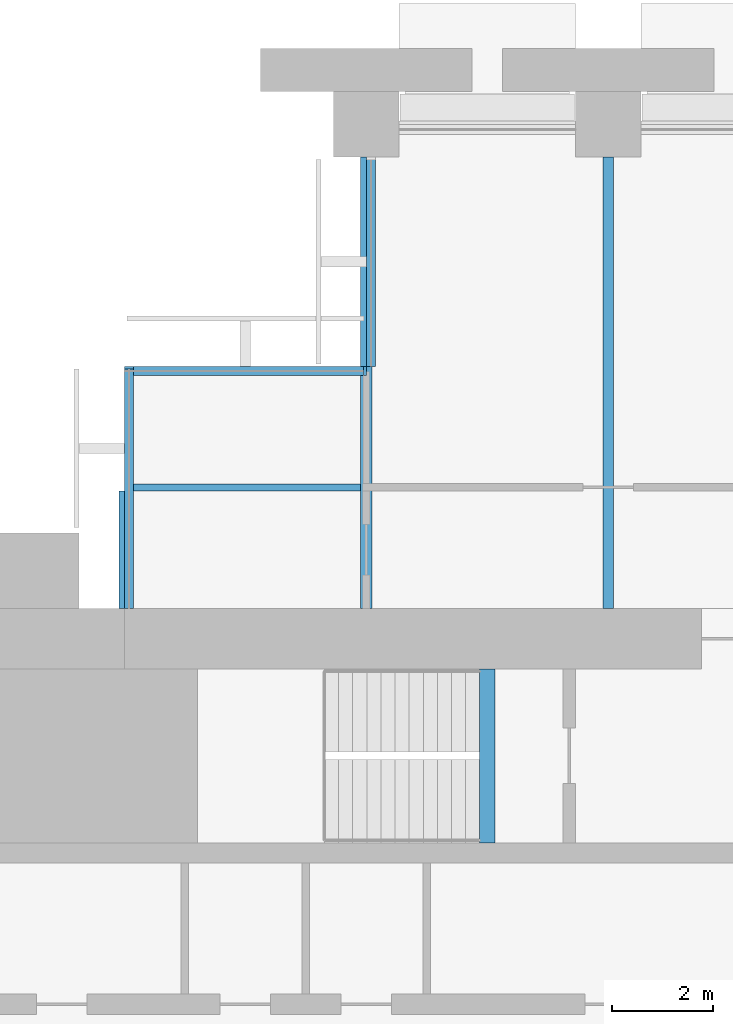
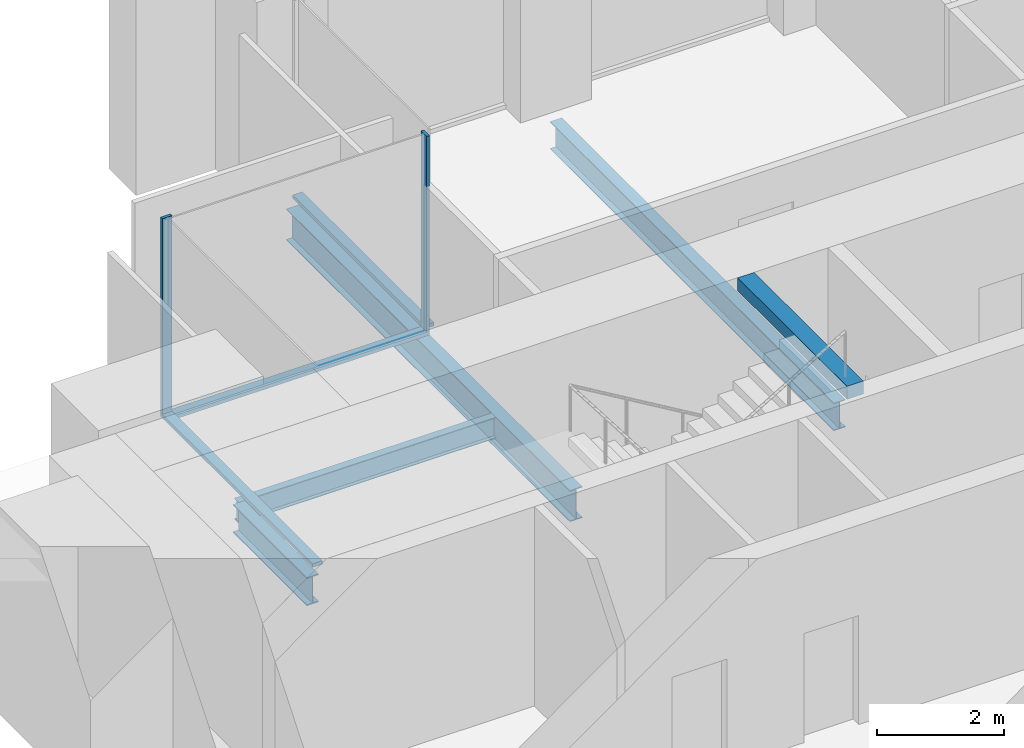
# One storey, part 5 of 15: 5 beams, 5 members, 3 elements without a shape of their own.
"""IFC4 building model written with IfcOpenShell, lengths in metres."""

from ifc_helpers import new_model, si_unit, direction, frame, origin, origin_2d, place, context, subcontext, project, spatial, rectangle, i_section, extrude, material, material_profile, profile_set, type_object, element, aggregate, save


model = new_model("IFC4")

# Units and contexts
model_context = context("Model", 3, precision=1e-05, world=origin(), true_north=direction((0.0, 1.0)))
body_context = subcontext(model_context, "Body", "Model", "MODEL_VIEW")
ifc_project = project(units=[si_unit("LENGTHUNIT", "METRE"), si_unit("AREAUNIT", "SQUARE_METRE"), si_unit("VOLUMEUNIT", "CUBIC_METRE"), si_unit("PLANEANGLEUNIT", "RADIAN"), si_unit("MASSUNIT", "GRAM", prefix="KILO")], contexts=[model_context])

# Site, building, storey
site_placement = place(None, origin())
site = spatial("IfcSite", under=ifc_project, at=site_placement, CompositionType="ELEMENT")
building_placement = place(site_placement, origin())
building = spatial("IfcBuilding", under=site, at=building_placement, Name="Baori Bourse Tower", CompositionType="ELEMENT")
storey_placement = place(building_placement, frame((0.0, 0.0, 59.0)))
storey = spatial("IfcBuildingStorey", under=building, at=storey_placement, Name="L12", CompositionType="ELEMENT", Elevation=59.0)

# Curtain wall, member
ifc_material_1 = material(Name="Pale anodised aluminium", Category="aluminium")
curtain_wall_type = type_object("IfcCurtainWallType", Name="CW2 Curtain wall", PredefinedType="NOTDEFINED", material=ifc_material_1)
curtain_wall_1_placement = place(storey_placement, origin())
curtain_wall_1 = element("IfcCurtainWall", 1, at=curtain_wall_1_placement, inside=storey, type_object=curtain_wall_type, Name="Curtain wall CW2 L12 8", PredefinedType="NOTDEFINED")
ifc_material_2 = material(Name="Pale anodised aluminium", Category="aluminium")
ifc_material_profile_1 = material_profile(ifc_material_2, rectangle(XDim=0.179931640625, YDim=0.054931640625, at=origin_2d()), Name="Mullion 55x180")
ifc_profile_set_1 = profile_set([ifc_material_profile_1], Name="Pale anodised aluminium")
member_type_1 = type_object("IfcMemberType", Name="CW2 Curtain wall mullion", PredefinedType="MULLION", material=ifc_profile_set_1)
member_1_placement = place(storey_placement, frame((9.572509765625, 43.110107421875, 0.070068359375), z_axis=(0.0, 0.0, 1.0), x_axis=(0.0, -1.0, 0.0)))
member_1 = element("IfcMember", 2, at=member_1_placement, type_object=member_type_1, Name="Curtain wall CW2 mullion", PredefinedType="MULLION", context=body_context, shape_type="SweptSolid", body=[
    extrude(rectangle(XDim=0.179931640625, YDim=0.054931640625, at=origin_2d()), origin(), (0.0, 0.0, 1.0), 3.77001953125),
])

curtain_wall_2_placement = place(storey_placement, origin())
curtain_wall_2 = element("IfcCurtainWall", 3, at=curtain_wall_2_placement, inside=storey, type_object=curtain_wall_type, Name="Curtain wall CW2 L12 9", PredefinedType="NOTDEFINED")
member_2_placement = place(storey_placement, frame((4.889892578125, 43.172607421875, 0.070068359375), z_axis=(0.0, 0.0, 1.0), x_axis=(1.0, 0.0, 0.0)))
member_2 = element("IfcMember", 4, at=member_2_placement, type_object=member_type_1, Name="Curtain wall CW2 mullion", PredefinedType="MULLION", context=body_context, shape_type="SweptSolid", body=[
    extrude(rectangle(XDim=0.179931640625, YDim=0.054931640625, at=origin_2d()), origin(), (0.0, 0.0, 1.0), 3.77001953125),
])

curtain_wall_3_placement = place(storey_placement, origin())
curtain_wall_3 = element("IfcCurtainWall", 5, at=curtain_wall_3_placement, inside=storey, type_object=curtain_wall_type, Name="Curtain wall CW2 L12 7", PredefinedType="NOTDEFINED")
ifc_material_3 = material(Name="Pale anodised aluminium", Category="aluminium")
ifc_material_profile_2 = material_profile(ifc_material_3, rectangle(XDim=0.179931640625, YDim=0.070068359375, at=origin_2d()), Name="Transom 70x180")
ifc_profile_set_2 = profile_set([ifc_material_profile_2], Name="Pale anodised aluminium")
member_type_2 = type_object("IfcMemberType", Name="CW2 Curtain wall transom", PredefinedType="USERDEFINED", material=ifc_profile_set_2)
member_3_placement = place(storey_placement, frame((9.68994140625, 47.35009765625, 0.034912109375), z_axis=(0.0, -1.0, 0.0), x_axis=(1.0, 0.0, 0.0)))
member_3 = element("IfcMember", 6, at=member_3_placement, type_object=member_type_2, Name="Curtain wall CW2 sill rail", ObjectType="TRANSOM", PredefinedType="USERDEFINED", context=body_context, shape_type="SweptSolid", body=[
    extrude(rectangle(XDim=0.179931640625, YDim=0.070068359375, at=origin_2d()), origin(), (0.0, 0.0, 1.0), 4.150146484375),
])
aggregate(curtain_wall_3, [member_3])

# Member
member_4_placement = place(storey_placement, frame((9.60009765625, 43.110107421875, 0.034912109375), z_axis=(-1.0, 0.0, 0.0), x_axis=(0.0, -1.0, 0.0)))
member_4 = element("IfcMember", 7, at=member_4_placement, type_object=member_type_2, Name="Curtain wall CW2 sill rail", ObjectType="TRANSOM", PredefinedType="USERDEFINED", context=body_context, shape_type="SweptSolid", body=[
    extrude(rectangle(XDim=0.179931640625, YDim=0.070068359375, at=origin_2d()), origin(), (0.0, 0.0, 1.0), 4.800048828125),
])

aggregate(curtain_wall_1, [member_4, member_1])

member_5_placement = place(storey_placement, frame((4.889892578125, 43.199951171875, 0.034912109375), z_axis=(0.0, -1.0, 0.0), x_axis=(1.0, 0.0, 0.0)))
member_5 = element("IfcMember", 8, at=member_5_placement, type_object=member_type_2, Name="Curtain wall CW2 sill rail", ObjectType="TRANSOM", PredefinedType="USERDEFINED", context=body_context, shape_type="SweptSolid", body=[
    extrude(rectangle(XDim=0.179931640625, YDim=0.070068359375, at=origin_2d()), origin(), (0.0, 0.0, 1.0), 4.800048828125),
])

aggregate(curtain_wall_2, [member_5, member_2])

# Beams
ifc_material_4 = material(Name="Steel A992 Gr 50", Category="steel")
ifc_material_profile_3 = material_profile(ifc_material_4, i_section(OverallWidth=0.21240234375, OverallDepth=0.54345703125, WebThickness=0.01318359375, FlangeThickness=0.021240234375, at=origin_2d()), Name="W21x83")
ifc_profile_set_3 = profile_set([ifc_material_profile_3], Name="Steel A992 Gr 50")
beam_type_1 = type_object("IfcBeamType", Name="Core bracket W21x83", PredefinedType="BEAM", material=ifc_profile_set_3)
beam_1_placement = place(storey_placement, frame((4.800048828125, 38.39990234375, -0.431884765625), z_axis=(0.0, 1.0, 0.0), x_axis=(-1.0, 0.0, 0.0)))
element("IfcBeam", 9, at=beam_1_placement, inside=storey, type_object=beam_type_1, Name="Core bracket L12", PredefinedType="BEAM", context=body_context, shape_type="SweptSolid", body=[
    extrude(i_section(OverallWidth=0.21240234375, OverallDepth=0.54345703125, WebThickness=0.01318359375, FlangeThickness=0.021240234375, at=origin_2d()), origin(), (0.0, 0.0, 1.0), 2.329833984375),
])
ifc_material_5 = material(Name="Steel A992 Gr 50", Category="steel")
ifc_material_profile_4 = material_profile(ifc_material_5, i_section(OverallWidth=0.209228515625, OverallDepth=0.533447265625, WebThickness=0.01025390625, FlangeThickness=0.015625, at=origin_2d()), Name="W21x62")
ifc_profile_set_4 = profile_set([ifc_material_profile_4], Name="Steel A992 Gr 50")
beam_type_2 = type_object("IfcBeamType", Name="Floor beam W21x62", PredefinedType="BEAM", material=ifc_profile_set_4)
beam_2_placement = place(storey_placement, frame((14.39990234375, 38.39990234375, -0.4267578125), z_axis=(0.0, 1.0, 0.0), x_axis=(-1.0, 0.0, 0.0)))
element("IfcBeam", 10, at=beam_2_placement, inside=storey, type_object=beam_type_2, Name="Floor beam L12", PredefinedType="BEAM", context=body_context, shape_type="SweptSolid", body=[
    extrude(i_section(OverallWidth=0.209228515625, OverallDepth=0.533447265625, WebThickness=0.01025390625, FlangeThickness=0.015625, at=origin_2d()), origin(), (0.0, 0.0, 1.0), 8.9501953125),
])
ifc_material_6 = material(Name="Steel A992 Gr 50", Category="steel")
ifc_material_profile_5 = material_profile(ifc_material_6, i_section(OverallWidth=0.227783203125, OverallDepth=0.60205078125, WebThickness=0.010498046875, FlangeThickness=0.014892578125, at=origin_2d()), Name="W24x68")
ifc_profile_set_5 = profile_set([ifc_material_profile_5], Name="Steel A992 Gr 50")
beam_type_3 = type_object("IfcBeamType", Name="Floor beam W24x68", PredefinedType="BEAM", material=ifc_profile_set_5)
beam_3_placement = place(storey_placement, frame((9.60009765625, 38.39990234375, -0.4609375), z_axis=(0.0, 1.0, 0.0), x_axis=(-1.0, 0.0, 0.0)))
element("IfcBeam", 11, at=beam_3_placement, inside=storey, type_object=beam_type_3, Name="Floor beam L12", PredefinedType="BEAM", context=body_context, shape_type="SweptSolid", body=[
    extrude(i_section(OverallWidth=0.227783203125, OverallDepth=0.60205078125, WebThickness=0.010498046875, FlangeThickness=0.014892578125, at=origin_2d()), origin(), (0.0, 0.0, 1.0), 8.9501953125),
])
ifc_material_7 = material(Name="Concrete f'c 50 MPa", Category="concrete")
ifc_material_profile_6 = material_profile(ifc_material_7, rectangle(XDim=0.300048828125, YDim=0.25, at=origin_2d()), Name="RC 300x250")
ifc_profile_set_6 = profile_set([ifc_material_profile_6], Name="Concrete f'c 50 MPa")
beam_type_4 = type_object("IfcBeamType", Name="Stair nib beam RC 300x250", PredefinedType="BEAM", material=ifc_profile_set_6)
beam_4_placement = place(storey_placement, frame((12.0, 33.75, 3.715087890625), z_axis=(0.0, 1.0, 0.0), x_axis=(-1.0, 0.0, 0.0)))
element("IfcBeam", 12, at=beam_4_placement, inside=storey, type_object=beam_type_4, Name="Stair WB nib beam L13", PredefinedType="BEAM", context=body_context, shape_type="SweptSolid", body=[
    extrude(rectangle(XDim=0.300048828125, YDim=0.25, at=origin_2d()), origin(), (0.0, 0.0, 1.0), 3.449951171875),
])
ifc_material_8 = material(Name="Steel A992 Gr 50", Category="steel")
ifc_material_profile_7 = material_profile(ifc_material_8, i_section(OverallWidth=0.140380859375, OverallDepth=0.40380859375, WebThickness=0.007080078125, FlangeThickness=0.01123046875, at=origin_2d()), Name="W16x31")
ifc_profile_set_7 = profile_set([ifc_material_profile_7], Name="Steel A992 Gr 50")
beam_type_5 = type_object("IfcBeamType", Name="Trimmer beam W16x31", PredefinedType="BEAM", material=ifc_profile_set_7)
beam_5_placement = place(storey_placement, frame((4.800048828125, 40.800048828125, -0.36181640625), z_axis=(1.0, 0.0, 0.0), x_axis=(0.0, 1.0, 0.0)))
element("IfcBeam", 13, at=beam_5_placement, inside=storey, type_object=beam_type_5, Name="Trimmer beam L12", PredefinedType="BEAM", context=body_context, shape_type="SweptSolid", body=[
    extrude(i_section(OverallWidth=0.140380859375, OverallDepth=0.40380859375, WebThickness=0.007080078125, FlangeThickness=0.01123046875, at=origin_2d()), origin(), (0.0, 0.0, 1.0), 4.68603515625),
])

save(model, "model.ifc")
